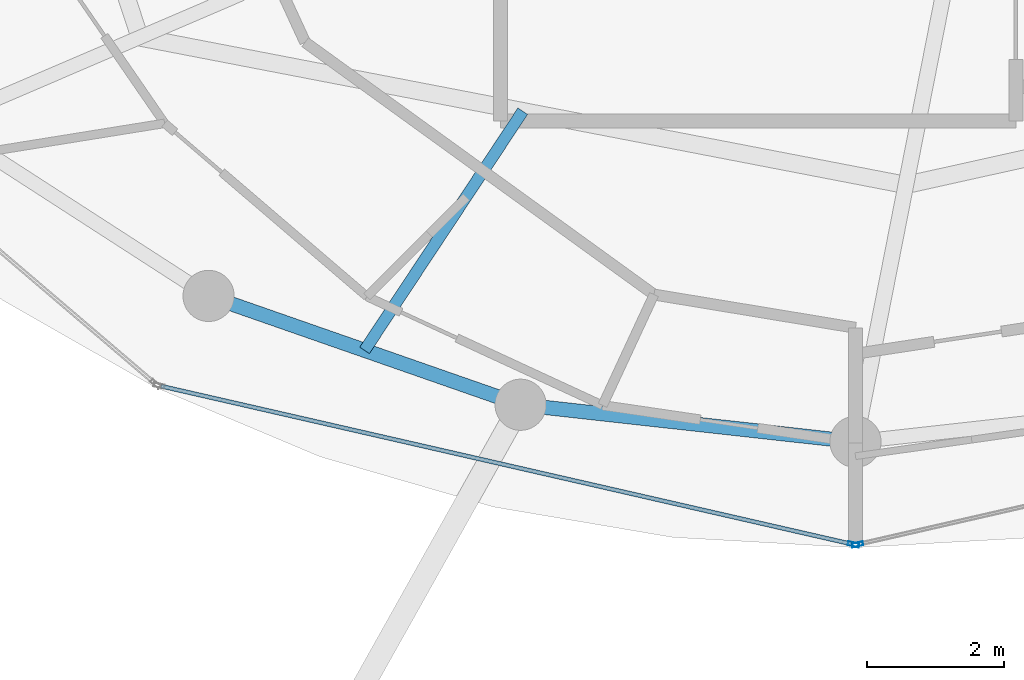
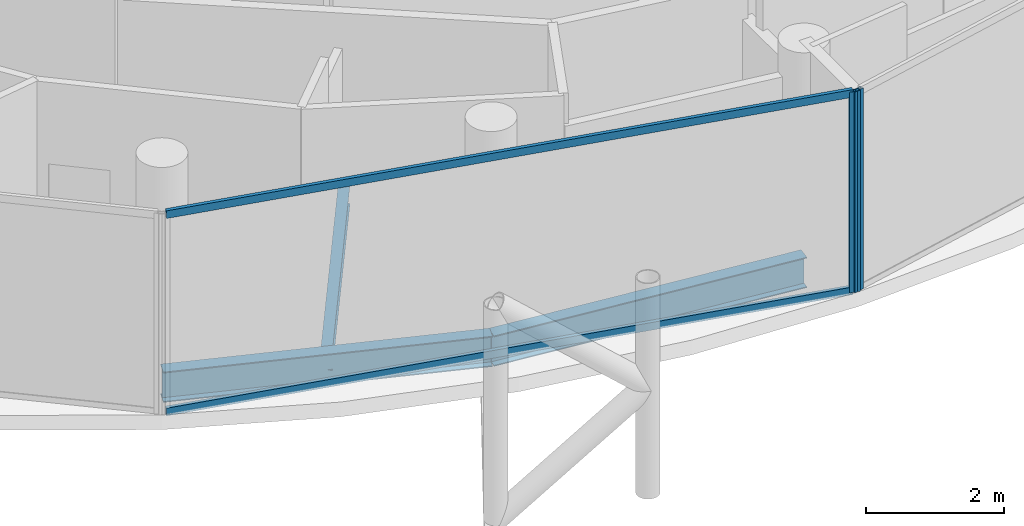
# One storey, part 4 of 24: 4 members, 3 beams, 2 elements without a shape of their own.
"""IFC4 building model written with IfcOpenShell, lengths in metres."""

import ifcopenshell
import ifcopenshell.guid

model = None  # the IFC model being written
_history = None  # IfcOwnerHistory: only IFC2X3 demands one
_inside = {}  # id of a spatial element -> (the spatial element, [elements in it])
_under = {}  # id of a project, library or spatial element -> (it, [spatial elements below it])
_declared = {}  # id of a project -> (the project, [libraries it declares])
_typed = {}  # id of a type object -> (the type object, [elements of that type])
_made_of = {}  # id of a material, layer set ... -> (it, [elements and type objects made of it])


def new_model(schema):
    """Start an empty IFC model of exactly this schema.

    Asked for "IFC4X3", IfcOpenShell would pick the latest addendum, in which some entities
    have other attributes; the version numbers below select the first issue.
    IFC2X3 requires an IfcOwnerHistory on every rooted entity: one is made here for all.
    """
    global model, _history
    if schema == "IFC4X3":
        model = ifcopenshell.file(schema_version=(4, 3, 0, 0))
    else:
        model = ifcopenshell.file(schema=schema)
    _inside.clear()
    _under.clear()
    _declared.clear()
    _typed.clear()
    _made_of.clear()
    _history = None
    if model.schema == "IFC2X3":
        org = make("IfcOrganization", Name="unknown")
        user = make(
            "IfcPersonAndOrganization",
            ThePerson=make("IfcPerson", FamilyName="unknown"),
            TheOrganization=org,
        )
        app = make(
            "IfcApplication",
            ApplicationDeveloper=org,
            Version="unknown",
            ApplicationFullName="unknown",
            ApplicationIdentifier="unknown",
        )
        _history = make(
            "IfcOwnerHistory",
            OwningUser=user,
            OwningApplication=app,
            ChangeAction="ADDED",
            CreationDate=0,
        )
    return model


def make(cls, **values):
    """One entity of the class cls with the attributes given. An attribute that is None is left unset."""
    return model.create_entity(
        cls, **{name: value for name, value in values.items() if value is not None}
    )


def rooted(cls, **values):
    """An entity with a GlobalId (a new one), such as an element, a storey or a relation."""
    return make(cls, GlobalId=ifcopenshell.guid.new(), OwnerHistory=_history, **values)


def si_unit(unit_type, name, prefix=None):
    """IfcSIUnit, for example si_unit("LENGTHUNIT", "METRE", prefix="MILLI")."""
    return make("IfcSIUnit", UnitType=unit_type, Prefix=prefix, Name=name)


def assignment(units):
    """IfcUnitAssignment: the units of a project."""
    return None if units is None else make("IfcUnitAssignment", Units=units)


def point(xyz):
    """IfcCartesianPoint."""
    return None if xyz is None else make("IfcCartesianPoint", Coordinates=xyz)


def direction(xyz):
    """IfcDirection."""
    return None if xyz is None else make("IfcDirection", DirectionRatios=xyz)


def frame(location, z_axis=None, x_axis=None):
    """IfcAxis2Placement3D, a coordinate frame: its origin and axes. An axis left out is left unset."""
    return make(
        "IfcAxis2Placement3D",
        Location=point(location),
        Axis=direction(z_axis),
        RefDirection=direction(x_axis),
    )


def frame_2d(location, x_axis=None):
    """IfcAxis2Placement2D, a coordinate frame in the plane: its origin and x axis."""
    return make(
        "IfcAxis2Placement2D", Location=point(location), RefDirection=direction(x_axis)
    )


def origin():
    """The frame at (0, 0, 0) with its axes left unset."""
    return frame((0.0, 0.0, 0.0))


def origin_2d():
    """The frame at (0, 0) in the plane with its x axis left unset."""
    return frame_2d((0.0, 0.0))


def place(relative_to, where):
    """IfcLocalPlacement: puts the frame where relative to a parent placement (None: the world)."""
    return make(
        "IfcLocalPlacement", PlacementRelTo=relative_to, RelativePlacement=where
    )


def context(
    kind, dimensions, precision=None, world=None, true_north=None, identifier=None
):
    """IfcGeometricRepresentationContext, for example the 3D "Model" context."""
    return make(
        "IfcGeometricRepresentationContext",
        ContextIdentifier=identifier,
        ContextType=kind,
        CoordinateSpaceDimension=dimensions,
        Precision=precision,
        WorldCoordinateSystem=world,
        TrueNorth=true_north,
    )


def subcontext(parent, identifier, kind, view, scale=None):
    """IfcGeometricRepresentationSubContext, for example "Body" below "Model"."""
    return make(
        "IfcGeometricRepresentationSubContext",
        ContextIdentifier=identifier,
        ContextType=kind,
        ParentContext=parent,
        TargetScale=scale,
        TargetView=view,
    )


def project(units=None, contexts=None):
    """IfcProject with its units and contexts."""
    return rooted(
        "IfcProject",
        Name="project",
        RepresentationContexts=contexts,
        UnitsInContext=assignment(units),
    )


def spatial(cls, under=None, at=None, **own):
    """A site, building, storey or space (cls), placed at a placement, below another one or the project."""
    s = rooted(cls, ObjectPlacement=at, **own)
    if under is not None:
        _under.setdefault(under.id(), (under, []))[1].append(s)
    return s


def profile(cls, at=None, kind="AREA", **sizes):
    """A parametric profile (cls). Its sizes go by their IFC names, for example OverallWidth=200.0."""
    return make(cls, ProfileType=kind, Position=at, **sizes)


def hollow_rectangle(**sizes):
    """IfcRectangleHollowProfileDef."""
    return profile("IfcRectangleHollowProfileDef", **sizes)


def i_section(**sizes):
    """IfcIShapeProfileDef."""
    return profile("IfcIShapeProfileDef", **sizes)


def extrude(swept, where, along, depth):
    """IfcExtrudedAreaSolid: the profile swept, set in the frame where, extruded along a direction by depth."""
    return make(
        "IfcExtrudedAreaSolid",
        SweptArea=swept,
        Position=where,
        ExtrudedDirection=direction(along),
        Depth=depth,
    )


def shape(context_of_items, identifier, shape_type, items):
    """IfcShapeRepresentation: the items that make up one representation, for example the "Body"."""
    return make(
        "IfcShapeRepresentation",
        ContextOfItems=context_of_items,
        RepresentationIdentifier=identifier,
        RepresentationType=shape_type,
        Items=items,
    )


def material(Name=None, Category=None):
    """IfcMaterial."""
    return make("IfcMaterial", Name=Name, Category=Category)


def layer(
    of_material, thickness, ventilated=None, Name=None, Category=None, Priority=None
):
    """IfcMaterialLayer: one layer of a wall or slab, of a material (None: an air gap)."""
    return make(
        "IfcMaterialLayer",
        Material=of_material,
        LayerThickness=thickness,
        IsVentilated=ventilated,
        Name=Name,
        Category=Category,
        Priority=Priority,
    )


def layer_set(layers, Name=None):
    """IfcMaterialLayerSet."""
    return make("IfcMaterialLayerSet", MaterialLayers=layers, LayerSetName=Name)


def material_profile(
    of_material, cross_section, Name=None, Category=None, Priority=None
):
    """IfcMaterialProfile: a cross section and its material."""
    return make(
        "IfcMaterialProfile",
        Name=Name,
        Material=of_material,
        Profile=cross_section,
        Priority=Priority,
        Category=Category,
    )


def profile_set(profiles, Name=None, composite=None):
    """IfcMaterialProfileSet."""
    return make(
        "IfcMaterialProfileSet",
        Name=Name,
        MaterialProfiles=profiles,
        CompositeProfile=composite,
    )


def made_of(thing, what):
    """Note that an element or type object is made of a material, layer set ...; save() writes the relation."""
    if what is not None:
        _made_of.setdefault(what.id(), (what, []))[1].append(thing)
    return thing


def type_object(cls, material=None, **own):
    """A type object (cls), such as IfcWallType, which elements share."""
    return made_of(rooted(cls, **own), material)


def element(
    cls,
    number,
    at=None,
    inside=None,
    cuts=None,
    type_object=None,
    material=None,
    context=None,
    identifier="Body",
    shape_type=None,
    held_by="IfcProductDefinitionShape",
    body=None,
    shapes=None,
    **own,
):
    """One element of the class cls, such as IfcWall. Its Tag is "e" and its number.

    at: its placement. inside: the storey or other place that contains it. cuts: it is an
    opening in that element (IfcRelVoidsElement). A single representation is given by context,
    identifier, shape_type and body (its items); several are given by shapes. held_by: the class
    of the entity that holds the representations. save() writes the other relations.
    """
    e = rooted(cls, Tag="e%d" % number, ObjectPlacement=at, **own)
    if body is not None:
        shapes = [shape(context, identifier, shape_type, body)]
    if shapes is not None:
        e.Representation = make(held_by, Representations=shapes)
    if inside is not None:
        _inside.setdefault(inside.id(), (inside, []))[1].append(e)
    if cuts is not None:
        rooted(
            "IfcRelVoidsElement", RelatingBuildingElement=cuts, RelatedOpeningElement=e
        )
    if type_object is not None:
        _typed.setdefault(type_object.id(), (type_object, []))[1].append(e)
    return made_of(e, material)


def aggregate(whole, parts):
    """IfcRelAggregates: a whole, such as a stair, and the parts it consists of."""
    return rooted("IfcRelAggregates", RelatingObject=whole, RelatedObjects=parts)


def save(model, path):
    """Write the relations noted so far, then the file.

    IfcRelAggregates (storeys below a building ...), IfcRelContainedInSpatialStructure (elements
    in a storey), IfcRelDefinesByType, IfcRelAssociatesMaterial and IfcRelDeclares: one each for
    every whole, place, type object, material and project.
    """
    for whole, parts in _under.values():
        aggregate(whole, parts)
    for where, things in _inside.values():
        rooted(
            "IfcRelContainedInSpatialStructure",
            RelatedElements=things,
            RelatingStructure=where,
        )
    for kind, things in _typed.values():
        rooted("IfcRelDefinesByType", RelatedObjects=things, RelatingType=kind)
    for what, things in _made_of.values():
        rooted("IfcRelAssociatesMaterial", RelatedObjects=things, RelatingMaterial=what)
    for by, libraries in _declared.values():
        rooted("IfcRelDeclares", RelatingContext=by, RelatedDefinitions=libraries)
    model.write(path)


model = new_model("IFC4")

# Units and contexts
model_context = context("Model", 3, precision=1e-05, world=origin(), true_north=direction((0.0, 1.0)))
body_context = subcontext(model_context, "Body", "Model", "MODEL_VIEW")
ifc_project = project(units=[si_unit("LENGTHUNIT", "METRE"), si_unit("AREAUNIT", "SQUARE_METRE"), si_unit("VOLUMEUNIT", "CUBIC_METRE"), si_unit("PLANEANGLEUNIT", "RADIAN"), si_unit("MASSUNIT", "GRAM", prefix="KILO")], contexts=[model_context])

# Site, building, storey
site_placement = place(None, origin())
site = spatial("IfcSite", under=ifc_project, at=site_placement, CompositionType="ELEMENT")
building_placement = place(site_placement, origin())
building = spatial("IfcBuilding", under=site, at=building_placement, Name="Nuhasar Tower", CompositionType="ELEMENT")
storey_placement = place(building_placement, frame((0.0, 0.0, 270.800048828125)))
storey = spatial("IfcBuildingStorey", under=building, at=storey_placement, Name="L67", CompositionType="ELEMENT", Elevation=270.800048828125)

# Beams
ifc_material_1 = material(Name="Steel S355", Category="steel")
ifc_material_profile_1 = material_profile(ifc_material_1, i_section(OverallWidth=0.1708984375, OverallDepth=0.35205078125, WebThickness=0.0068359375, FlangeThickness=0.009765625, at=origin_2d()), Name="W14X30")
ifc_profile_set_1 = profile_set([ifc_material_profile_1], Name="Steel S355")
beam_type_1 = type_object("IfcBeamType", Name="BM-JST-W14X30", PredefinedType="JOIST", material=ifc_profile_set_1)
beam_1_placement = place(storey_placement, frame((34.126953125, 15.693115234375, -0.43603515625), z_axis=(-0.551638003526, -0.834083636733, 0.0), x_axis=(0.834083636733, -0.551638003526, 0.0)))
element("IfcBeam", 1, at=beam_1_placement, inside=storey, type_object=beam_type_1, Name="L67 Secondary Floor Joist 01", PredefinedType="JOIST", context=body_context, shape_type="SweptSolid", body=[
    extrude(i_section(OverallWidth=0.1708984375, OverallDepth=0.35205078125, WebThickness=0.0068359375, FlangeThickness=0.009765625, at=origin_2d()), origin(), (0.0, 0.0, 1.0), 4.199951171875),
])
ifc_material_profile_2 = material_profile(ifc_material_1, i_section(OverallWidth=0.2099609375, OverallDepth=0.537109375, WebThickness=0.010986328125, FlangeThickness=0.017333984375, at=origin_2d()), Name="W21X68")
ifc_profile_set_2 = profile_set([ifc_material_profile_2], Name="Steel S355")
beam_type_2 = type_object("IfcBeamType", Name="BM-RING-W21X68", PredefinedType="SPANDREL", material=ifc_profile_set_2)
beam_2_placement = place(storey_placement, frame((29.52490234375, 12.987060546875, -0.528076171875), z_axis=(0.944214043504, -0.329332415729, 0.0), x_axis=(0.329332415729, 0.944214043504, 0.0)))
element("IfcBeam", 2, at=beam_2_placement, inside=storey, type_object=beam_type_2, Name="L67 Perimeter Ring Spandrel 17", PredefinedType="SPANDREL", context=body_context, shape_type="SweptSolid", body=[
    extrude(i_section(OverallWidth=0.2099609375, OverallDepth=0.537109375, WebThickness=0.010986328125, FlangeThickness=0.017333984375, at=origin_2d()), origin(), (0.0, 0.0, 1.0), 4.840087890625),
])
beam_3_placement = place(storey_placement, frame((34.094970703125, 11.39306640625, -0.528076171875), z_axis=(0.99392889943, -0.110024283128, 0.0), x_axis=(0.110024283128, 0.99392889943, 0.0)))
element("IfcBeam", 3, at=beam_3_placement, inside=storey, type_object=beam_type_2, Name="L67 Perimeter Ring Spandrel 18", PredefinedType="SPANDREL", context=body_context, shape_type="SweptSolid", body=[
    extrude(i_section(OverallWidth=0.2099609375, OverallDepth=0.537109375, WebThickness=0.010986328125, FlangeThickness=0.017333984375, at=origin_2d()), origin(), (0.0, 0.0, 1.0), 4.93505859375),
])

# Curtain wall, member
ifc_material_2 = material(Name="Aluminium 6063-T6", Category="aluminium")
ifc_layer = layer(ifc_material_2, 0.18994140625)
ifc_layer_set = layer_set([ifc_layer], Name="Aluminium 6063-T6")
curtain_wall_type = type_object("IfcCurtainWallType", Name="CW-Z4-PEN", PredefinedType="NOTDEFINED", material=ifc_layer_set)
curtain_wall_1_placement = place(storey_placement, origin())
curtain_wall_1 = element("IfcCurtainWall", 4, at=curtain_wall_1_placement, inside=storey, type_object=curtain_wall_type, Name="L67 Unitised Curtain Wall 09", PredefinedType="NOTDEFINED")
ifc_material_profile_3 = material_profile(ifc_material_2, hollow_rectangle(XDim=0.06005859375, YDim=0.1650390625, WallThickness=0.0048828125, at=origin_2d()), Name="CWM-5")
ifc_profile_set_3 = profile_set([ifc_material_profile_3], Name="Aluminium 6063-T6")
member_type_1 = type_object("IfcMemberType", Name="CW-MUL-S5", PredefinedType="MULLION", material=ifc_profile_set_3)
member_1_placement = place(storey_placement, frame((38.970703125, 9.3466796875, 0.0), z_axis=(0.0, 0.0, 1.0), x_axis=(0.222889487645, 0.97484371891, 0.0)))
member_1 = element("IfcMember", 5, at=member_1_placement, type_object=member_type_1, Name="CW-Z4 mullion 2", PredefinedType="MULLION", context=body_context, shape_type="SweptSolid", body=[
    extrude(hollow_rectangle(XDim=0.06005859375, YDim=0.1650390625, WallThickness=0.0048828125, at=origin_2d()), origin(), (0.0, 0.0, 1.0), 3.5400390625),
])

curtain_wall_2_placement = place(storey_placement, origin())
curtain_wall_2 = element("IfcCurtainWall", 6, at=curtain_wall_2_placement, inside=storey, type_object=curtain_wall_type, Name="L67 Unitised Curtain Wall 10", PredefinedType="NOTDEFINED")
member_2_placement = place(storey_placement, frame((39.029296875, 9.3466796875, 0.0), z_axis=(0.0, 0.0, 1.0), x_axis=(-0.222889487645, 0.97484371891, 0.0)))
member_2 = element("IfcMember", 7, at=member_2_placement, type_object=member_type_1, Name="CW-Z4 mullion 1", PredefinedType="MULLION", context=body_context, shape_type="SweptSolid", body=[
    extrude(hollow_rectangle(XDim=0.06005859375, YDim=0.1650390625, WallThickness=0.0048828125, at=origin_2d()), origin(), (0.0, 0.0, 1.0), 3.5400390625),
])
aggregate(curtain_wall_2, [member_2])

# Member
ifc_material_profile_4 = material_profile(ifc_material_2, hollow_rectangle(XDim=0.06005859375, YDim=0.135009765625, WallThickness=0.00439453125, at=origin_2d()), Name="CWT-5")
ifc_profile_set_4 = profile_set([ifc_material_profile_4], Name="Aluminium 6063-T6")
member_type_2 = type_object("IfcMemberType", Name="CW-TRN-S5", PredefinedType="USERDEFINED", material=ifc_profile_set_4)
member_3_placement = place(storey_placement, frame((28.828369140625, 11.66552734375, 0.030029296875), z_axis=(0.974843752401, -0.222889341163, 0.0), x_axis=(0.222889341163, 0.974843752401, 0.0)))
member_3 = element("IfcMember", 8, at=member_3_placement, type_object=member_type_2, Name="CW-Z4 transom 1.1", ObjectType="TRANSOM", PredefinedType="USERDEFINED", context=body_context, shape_type="SweptSolid", body=[
    extrude(hollow_rectangle(XDim=0.06005859375, YDim=0.135009765625, WallThickness=0.00439453125, at=origin_2d()), origin(), (0.0, 0.0, 1.0), 10.3740234375),
])

member_4_placement = place(storey_placement, frame((28.828369140625, 11.66552734375, 3.510009765625), z_axis=(0.974843752401, -0.222889341163, 0.0), x_axis=(0.222889341163, 0.974843752401, 0.0)))
member_4 = element("IfcMember", 9, at=member_4_placement, type_object=member_type_2, Name="CW-Z4 transom 1.2", ObjectType="TRANSOM", PredefinedType="USERDEFINED", context=body_context, shape_type="SweptSolid", body=[
    extrude(hollow_rectangle(XDim=0.06005859375, YDim=0.135009765625, WallThickness=0.00439453125, at=origin_2d()), origin(), (0.0, 0.0, 1.0), 10.3740234375),
])

aggregate(curtain_wall_1, [member_1, member_3, member_4])

save(model, "model.ifc")
